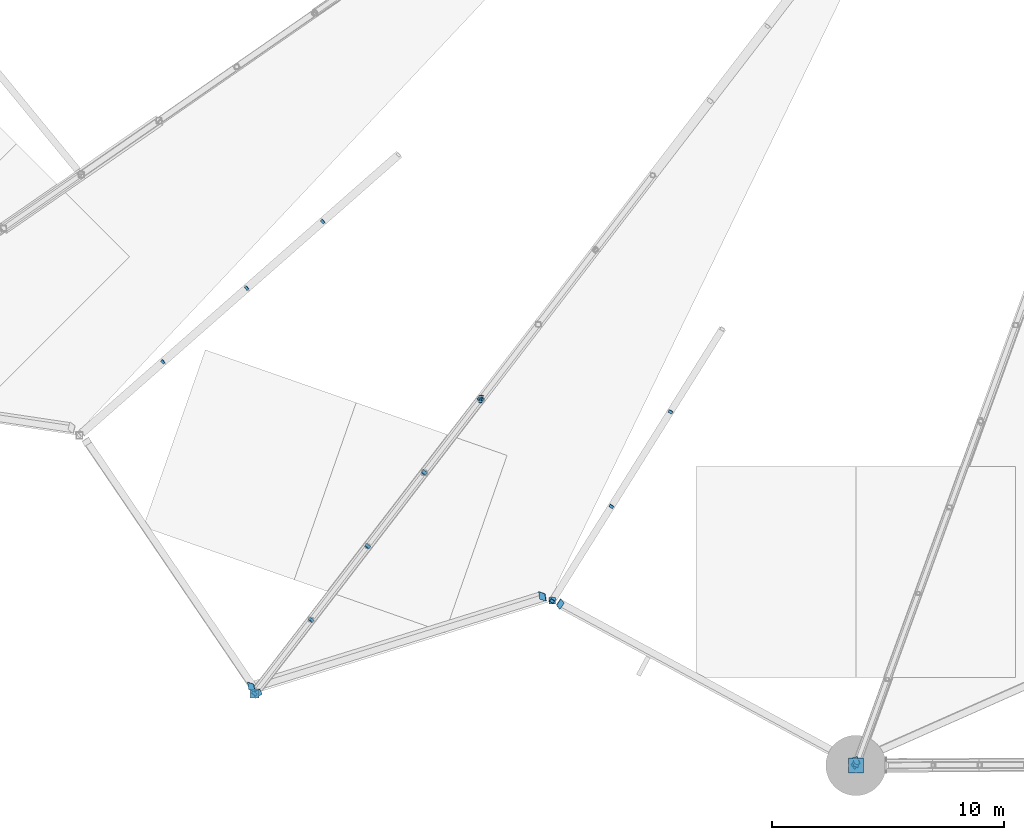
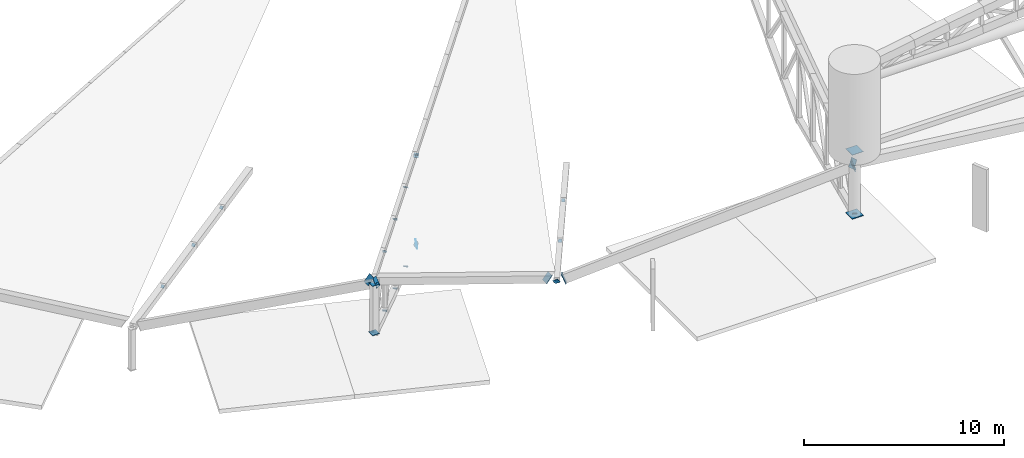
# One storey, part 121 of 188: 31 discrete accessories.
"""IFC4 building model written with IfcOpenShell, lengths in metres."""

from ifc_helpers import new_model, si_unit, direction, frame, origin, origin_2d, place, context, subcontext, project, spatial, rectangle, extrude, material, material_profile, profile_set, type_object, element, save


model = new_model("IFC4")

# Units and contexts
model_context = context("Model", 3, precision=1e-05, world=origin(), true_north=direction((0.0, 1.0)))
body_context = subcontext(model_context, "Body", "Model", "MODEL_VIEW")
ifc_project = project(units=[si_unit("LENGTHUNIT", "METRE"), si_unit("AREAUNIT", "SQUARE_METRE"), si_unit("VOLUMEUNIT", "CUBIC_METRE"), si_unit("PLANEANGLEUNIT", "RADIAN"), si_unit("MASSUNIT", "GRAM", prefix="KILO")], contexts=[model_context])

# Site, building, storey
site_placement = place(None, origin())
site = spatial("IfcSite", under=ifc_project, at=site_placement, CompositionType="ELEMENT")
building_placement = place(site_placement, origin())
building = spatial("IfcBuilding", under=site, at=building_placement, Name="Meseta Stadium", CompositionType="ELEMENT")
storey_placement = place(building_placement, frame((0.0, 0.0, 30.0)))
storey = spatial("IfcBuildingStorey", under=building, at=storey_placement, Name="ROOF", CompositionType="ELEMENT", Elevation=30.0)

# Discrete accessories
ifc_material_1 = material(Name="Steel S355", Category="steel")
ifc_material_profile_1 = material_profile(ifc_material_1, rectangle(XDim=0.179931640625, YDim=0.179931640625, at=origin_2d()), Name="PL 180x180")
ifc_profile_set_1 = profile_set([ifc_material_profile_1], Name="Steel S355")
discrete_accessory_type_1 = type_object("IfcDiscreteAccessoryType", Name="End plate 180x180x20", PredefinedType="ANCHORPLATE", material=ifc_profile_set_1)
for number, where, z_axis, x_axis, name in (
    (1, (-61.34521484375, -81.91259765625, 1.62451171875), (-0.613369973061, -0.539765576293, 0.576567774677), (0.660627894892, -0.750713516923, 0.0), "End plate of ROOF TRUSS RT-41 diagonal"),
    (2, (-64.6220703125, -84.79248046875, 2.227783203125), (-0.613369973061, -0.539765576293, 0.576567774677), (0.660627894892, -0.750713516923, 0.0), "End plate of ROOF TRUSS RT-41 diagonal"),
    (3, (-68.239501953125, -87.9716796875, 2.893798828125), (-0.625355108861, -0.551783919583, 0.551783919583), (0.661621637087, -0.749837855365, 0.0), "End plate of ROOF TRUSS RT-41 diagonal"),
    (4, (-46.333251953125, -90.126220703125, 1.79833984375), (-0.378781816324, -0.623157181694, 0.684251023036), (0.854521941471, -0.519415297757, 0.0), "End plate of ROOF TRUSS RT-43 diagonal"),
    (5, (-48.88720703125, -94.210205078125, 2.68798828125), (-0.413101070966, -0.643951669447, 0.643951669447), (0.841694082266, -0.539954694284, 0.0), "End plate of ROOF TRUSS RT-43 diagonal"),
    (6, (-51.44140625, -98.29443359375, 3.57763671875), (-0.402948725724, -0.647160074648, 0.647160074648), (0.848896908954, -0.528558452745, 0.0), "End plate of ROOF TRUSS RT-43 diagonal"),
):
    element("IfcDiscreteAccessory", number, at=place(storey_placement, frame(where, z_axis=z_axis, x_axis=x_axis)), inside=storey, type_object=discrete_accessory_type_1, Name=name, PredefinedType="ANCHORPLATE", context=body_context, shape_type="SweptSolid", body=[
        extrude(rectangle(XDim=0.179931640625, YDim=0.179931640625, at=origin_2d()), origin(), (0.0, 0.0, 1.0), 0.02001953125),
    ])
ifc_material_2 = material(Name="Steel S355", Category="steel")
ifc_material_profile_2 = material_profile(ifc_material_2, rectangle(XDim=0.219970703125, YDim=0.219970703125, at=origin_2d()), Name="PL 220x220")
ifc_profile_set_2 = profile_set([ifc_material_profile_2], Name="Steel S355")
discrete_accessory_type_2 = type_object("IfcDiscreteAccessoryType", Name="End plate 220x220x20", PredefinedType="ANCHORPLATE", material=ifc_profile_set_2)
discrete_accessory_1_placement = place(storey_placement, frame((-54.5146484375, -89.568115234375, 7.08203125), z_axis=(-0.427433594844, -0.56176986751, -0.708318528599), x_axis=(0.795828694121, -0.605521832483, 0.0)))
element("IfcDiscreteAccessory", 7, at=discrete_accessory_1_placement, inside=storey, type_object=discrete_accessory_type_2, Name="End plate of ROOF TRUSS RT-42 diagonal", PredefinedType="ANCHORPLATE", context=body_context, shape_type="SweptSolid", body=[
    extrude(rectangle(XDim=0.219970703125, YDim=0.219970703125, at=origin_2d()), origin(), (0.0, 0.0, 1.0), 0.02001953125),
])
discrete_accessory_2_placement = place(storey_placement, frame((-56.966796875, -92.75732421875, 3.082763671875), z_axis=(-0.431146968735, -0.566650301766, -0.702153634797), x_axis=(0.795828694121, -0.605521832483, 0.0)))
element("IfcDiscreteAccessory", 8, at=discrete_accessory_2_placement, inside=storey, type_object=discrete_accessory_type_2, Name="End plate of ROOF TRUSS RT-42 diagonal", PredefinedType="ANCHORPLATE", context=body_context, shape_type="SweptSolid", body=[
    extrude(rectangle(XDim=0.219970703125, YDim=0.219970703125, at=origin_2d()), origin(), (0.0, 0.0, 1.0), 0.019775390625),
])
for number, where, z_axis, x_axis, name in (
    (9, (-56.95751953125, -92.7451171875, 7.90625), (-0.462418522526, -0.608445424376, -0.644952149838), (0.796162194123, -0.605083267534, 0.0), "End plate of ROOF TRUSS RT-42 diagonal"),
    (10, (-59.410400390625, -95.935302734375, 4.511962890625), (-0.465845815066, -0.600695919427, -0.649732321013), (0.790219801195, -0.612823519294, 0.0), "End plate of ROOF TRUSS RT-42 diagonal"),
    (11, (-59.400390625, -95.922119140625, 8.730224609375), (-0.500409485234, -0.659075907382, -0.561435032214), (0.79644631635, -0.604709240191, 0.0), "End plate of ROOF TRUSS RT-42 diagonal"),
    (12, (-61.85400390625, -99.11328125, 5.94091796875), (-0.500932106249, -0.647546381249, -0.574239243749), (0.790956681595, -0.611872149913, 0.0), "End plate of ROOF TRUSS RT-42 diagonal"),
):
    element("IfcDiscreteAccessory", number, at=place(storey_placement, frame(where, z_axis=z_axis, x_axis=x_axis)), inside=storey, type_object=discrete_accessory_type_2, Name=name, PredefinedType="ANCHORPLATE", context=body_context, shape_type="SweptSolid", body=[
        extrude(rectangle(XDim=0.219970703125, YDim=0.219970703125, at=origin_2d()), origin(), (0.0, 0.0, 1.0), 0.02001953125),
    ])
for number, where, z_axis, x_axis, name in (
    (13, (-61.84326171875, -99.09912109375, 9.553955078125), (-0.532756370713, -0.702269761394, -0.472215874041), (0.796691270902, -0.604386481374, 0.0), "End plate of ROOF TRUSS RT-42 diagonal"),
    (14, (-64.29736328125, -102.291015625, 7.369873046875), (-0.532756370713, -0.702269761394, -0.472215874041), (0.796691270902, -0.604386481374, 0.0), "End plate of ROOF TRUSS RT-42 diagonal"),
    (15, (-38.333251953125, -105.39990234375, 7.412841796875), (-0.300812085554, -0.830241356128, -0.469266853464), (0.940190624658, -0.34064877705, 0.0), "End plate of ROOF TRUSS RT-44 diagonal"),
):
    element("IfcDiscreteAccessory", number, at=place(storey_placement, frame(where, z_axis=z_axis, x_axis=x_axis)), inside=storey, type_object=discrete_accessory_type_2, Name=name, PredefinedType="ANCHORPLATE", context=body_context, shape_type="SweptSolid", body=[
        extrude(rectangle(XDim=0.219970703125, YDim=0.219970703125, at=origin_2d()), origin(), (0.0, 0.0, 1.0), 0.020263671875),
    ])
ifc_material_3 = material(Name="Steel S355", Category="steel")
ifc_material_profile_3 = material_profile(ifc_material_3, rectangle(XDim=0.260009765625, YDim=0.260009765625, at=origin_2d()), Name="PL 260x260")
ifc_profile_set_3 = profile_set([ifc_material_profile_3], Name="Steel S355")
discrete_accessory_type_3 = type_object("IfcDiscreteAccessoryType", Name="End plate 260x260x20", PredefinedType="ANCHORPLATE", material=ifc_profile_set_3)
discrete_accessory_3_placement = place(storey_placement, frame((-54.523193359375, -89.579345703125, 7.06787109375), z_axis=(-0.354317831249, -0.452060681249, 0.818596368748), x_axis=(0.787055915151, -0.616881663227, 0.0)))
element("IfcDiscreteAccessory", 16, at=discrete_accessory_3_placement, inside=storey, type_object=discrete_accessory_type_3, Name="End plate of ROOF TRUSS RT-42 diagonal", PredefinedType="ANCHORPLATE", context=body_context, shape_type="SweptSolid", body=[
    extrude(rectangle(XDim=0.260009765625, YDim=0.260009765625, at=origin_2d()), origin(), (0.0, 0.0, 1.0), 0.02001953125),
])
ifc_material_4 = material(Name="Steel S355", Category="steel")
ifc_material_profile_4 = material_profile(ifc_material_4, rectangle(XDim=0.2900390625, YDim=0.2900390625, at=origin_2d()), Name="PL 290x290")
ifc_profile_set_4 = profile_set([ifc_material_profile_4], Name="Steel S355")
discrete_accessory_type_4 = type_object("IfcDiscreteAccessoryType", Name="End plate 290x290x20", PredefinedType="ANCHORPLATE", material=ifc_profile_set_4)
discrete_accessory_4_placement = place(storey_placement, frame((-51.44140625, -98.29443359375, 3.57763671875), z_axis=(0.0, 0.0, 1.0), x_axis=(1.0, 0.0, 0.0)))
element("IfcDiscreteAccessory", 17, at=discrete_accessory_4_placement, inside=storey, type_object=discrete_accessory_type_4, Name="End plate of ROOF TRUSS RT-43 post", PredefinedType="ANCHORPLATE", context=body_context, shape_type="SweptSolid", body=[
    extrude(rectangle(XDim=0.2900390625, YDim=0.2900390625, at=origin_2d()), origin(), (0.0, 0.0, 1.0), 0.02001953125),
])
ifc_material_5 = material(Name="Steel S355", Category="steel")
ifc_material_profile_5 = material_profile(ifc_material_5, rectangle(XDim=0.340087890625, YDim=0.340087890625, at=origin_2d()), Name="PL 340x340")
ifc_profile_set_5 = profile_set([ifc_material_profile_5], Name="Steel S355")
discrete_accessory_type_5 = type_object("IfcDiscreteAccessoryType", Name="End plate 340x340x20", PredefinedType="ANCHORPLATE", material=ifc_profile_set_5)
for number, where, z_axis, x_axis, name in (
    (18, (-54.523193359375, -89.579345703125, 1.65380859375), (0.89310418461, -0.415966332558, 0.171280254583), (0.42220553922, 0.906500128324, 0.0), "End plate of ROOF PIVOT STRUT RT-41/42"),
    (19, (-54.5419921875, -89.578125, 1.660888671875), (0.934105640733, -0.060656210437, -0.351806020536), (0.064798594974, 0.997898362605, 0.0), "End plate of ROOF PIVOT STRUT RT-42/43"),
):
    element("IfcDiscreteAccessory", number, at=place(storey_placement, frame(where, z_axis=z_axis, x_axis=x_axis)), inside=storey, type_object=discrete_accessory_type_5, Name=name, PredefinedType="ANCHORPLATE", context=body_context, shape_type="SweptSolid", body=[
        extrude(rectangle(XDim=0.340087890625, YDim=0.340087890625, at=origin_2d()), origin(), (0.0, 0.0, 1.0), 0.02001953125),
    ])
ifc_material_6 = material(Name="Steel S355", Category="steel")
ifc_material_profile_6 = material_profile(ifc_material_6, rectangle(XDim=0.340087890625, YDim=0.5400390625, at=origin_2d()), Name="PL 340x540")
ifc_profile_set_6 = profile_set([ifc_material_profile_6], Name="Steel S355")
discrete_accessory_type_6 = type_object("IfcDiscreteAccessoryType", Name="End plate 340x540x20", PredefinedType="ANCHORPLATE", material=ifc_profile_set_6)
for number, where, z_axis, x_axis, name in (
    (20, (-64.165771484375, -102.28515625, 10.40869140625), (0.502774258378, -0.735767207382, 0.453723111219), (0.84107726669, 0.537541719721, -0.060315263542), "End plate of RIM RING BEAM 42"),
    (21, (-64.437744140625, -102.00927734375, 10.489990234375), (0.851823594126, 0.267715986725, -0.450249614038), (-0.154350670238, 0.949653193774, 0.272643874225), "End plate of RIM RING BEAM 43"),
    (22, (-51.87158203125, -98.102783203125, 3.84326171875), (0.851823594126, 0.267715986725, -0.450249614038), (-0.154350670238, 0.949653193774, 0.272643874225), "End plate of RIM RING BEAM 43"),
):
    element("IfcDiscreteAccessory", number, at=place(storey_placement, frame(where, z_axis=z_axis, x_axis=x_axis)), inside=storey, type_object=discrete_accessory_type_6, Name=name, PredefinedType="ANCHORPLATE", context=body_context, shape_type="SweptSolid", body=[
        extrude(rectangle(XDim=0.340087890625, YDim=0.5400390625, at=origin_2d()), origin(), (0.0, 0.0, 1.0), 0.02001953125),
    ])
for number, where, z_axis, x_axis, name in (
    (23, (-51.10595703125, -98.427978515625, 3.73876953125), (0.79989717318, -0.436307549007, 0.412068240729), (0.539029868482, 0.824184367165, -0.173686297113), "End plate of RIM RING BEAM 44"),
    (24, (-38.373779296875, -105.329833984375, 10.34375), (0.79989717318, -0.436307549007, 0.412068240729), (0.539029868482, 0.824184367165, -0.173686297113), "End plate of RIM RING BEAM 44"),
    (25, (-38.325927734375, -105.197509765625, 10.381103515625), (0.847504831008, 0.375323568018, -0.375323568018), (-0.384046433935, 0.921703776731, 0.054502151717), "End plate of RIM RING BEAM 45"),
):
    element("IfcDiscreteAccessory", number, at=place(storey_placement, frame(where, z_axis=z_axis, x_axis=x_axis)), inside=storey, type_object=discrete_accessory_type_6, Name=name, PredefinedType="ANCHORPLATE", context=body_context, shape_type="SweptSolid", body=[
        extrude(rectangle(XDim=0.340087890625, YDim=0.5400390625, at=origin_2d()), origin(), (0.0, 0.0, 1.0), 0.020263671875),
    ])
ifc_material_7 = material(Name="Steel S355", Category="steel")
ifc_material_profile_7 = material_profile(ifc_material_7, rectangle(XDim=0.389892578125, YDim=0.389892578125, at=origin_2d()), Name="PL 390x390")
ifc_profile_set_7 = profile_set([ifc_material_profile_7], Name="Steel S355")
discrete_accessory_type_7 = type_object("IfcDiscreteAccessoryType", Name="End plate 390x390x20", PredefinedType="ANCHORPLATE", material=ifc_profile_set_7)
for number, where, z_axis, x_axis, name in (
    (26, (-64.29736328125, -102.291015625, 7.349853515625), (0.0, 0.0, 1.0), (1.0, 0.0, 0.0), "End plate of ROOF TRUSS RT-42 post"),
    (27, (-64.29736328125, -102.291015625, 10.369873046875), (0.0, 0.0, 1.0), (1.0, 0.0, 0.0), "End plate of ROOF TRUSS RT-42 post"),
    (28, (-64.29736328125, -102.291015625, 7.369873046875), (0.0, 0.0, 1.0), (1.0, 0.0, 0.0), "End plate of ROOF RIM POST RT-42"),
):
    element("IfcDiscreteAccessory", number, at=place(storey_placement, frame(where, z_axis=z_axis, x_axis=x_axis)), inside=storey, type_object=discrete_accessory_type_7, Name=name, PredefinedType="ANCHORPLATE", context=body_context, shape_type="SweptSolid", body=[
        extrude(rectangle(XDim=0.389892578125, YDim=0.389892578125, at=origin_2d()), origin(), (0.0, 0.0, 1.0), 0.02001953125),
    ])
ifc_material_8 = material(Name="Steel S355", Category="steel")
ifc_material_profile_8 = material_profile(ifc_material_8, rectangle(XDim=0.64990234375, YDim=0.64990234375, at=origin_2d()), Name="PL 650x650")
ifc_profile_set_8 = profile_set([ifc_material_profile_8], Name="Steel S355")
discrete_accessory_type_8 = type_object("IfcDiscreteAccessoryType", Name="End plate 650x650x20", PredefinedType="ANCHORPLATE", material=ifc_profile_set_8)
discrete_accessory_5_placement = place(storey_placement, frame((-38.333251953125, -105.39990234375, 7.412841796875), z_axis=(0.0, 0.0, 1.0), x_axis=(1.0, 0.0, 0.0)))
element("IfcDiscreteAccessory", 29, at=discrete_accessory_5_placement, inside=storey, type_object=discrete_accessory_type_8, Name="End plate of GABLE ARCH GA-S pylon post", PredefinedType="ANCHORPLATE", context=body_context, shape_type="SweptSolid", body=[
    extrude(rectangle(XDim=0.64990234375, YDim=0.64990234375, at=origin_2d()), origin(), (0.0, 0.0, 1.0), 0.019775390625),
])
for number, where, z_axis, x_axis, name in (
    (30, (-38.333251953125, -105.39990234375, 7.392822265625), (0.0, 0.0, 1.0), (1.0, 0.0, 0.0), "End plate of GABLE ARCH GA-S pylon post"),
    (31, (-38.333251953125, -105.39990234375, 11.300048828125), (0.0, 0.0, 1.0), (1.0, 0.0, 0.0), "End plate of GABLE ARCH GA-S pylon post"),
):
    element("IfcDiscreteAccessory", number, at=place(storey_placement, frame(where, z_axis=z_axis, x_axis=x_axis)), inside=storey, type_object=discrete_accessory_type_8, Name=name, PredefinedType="ANCHORPLATE", context=body_context, shape_type="SweptSolid", body=[
        extrude(rectangle(XDim=0.64990234375, YDim=0.64990234375, at=origin_2d()), origin(), (0.0, 0.0, 1.0), 0.02001953125),
    ])

save(model, "model.ifc")
